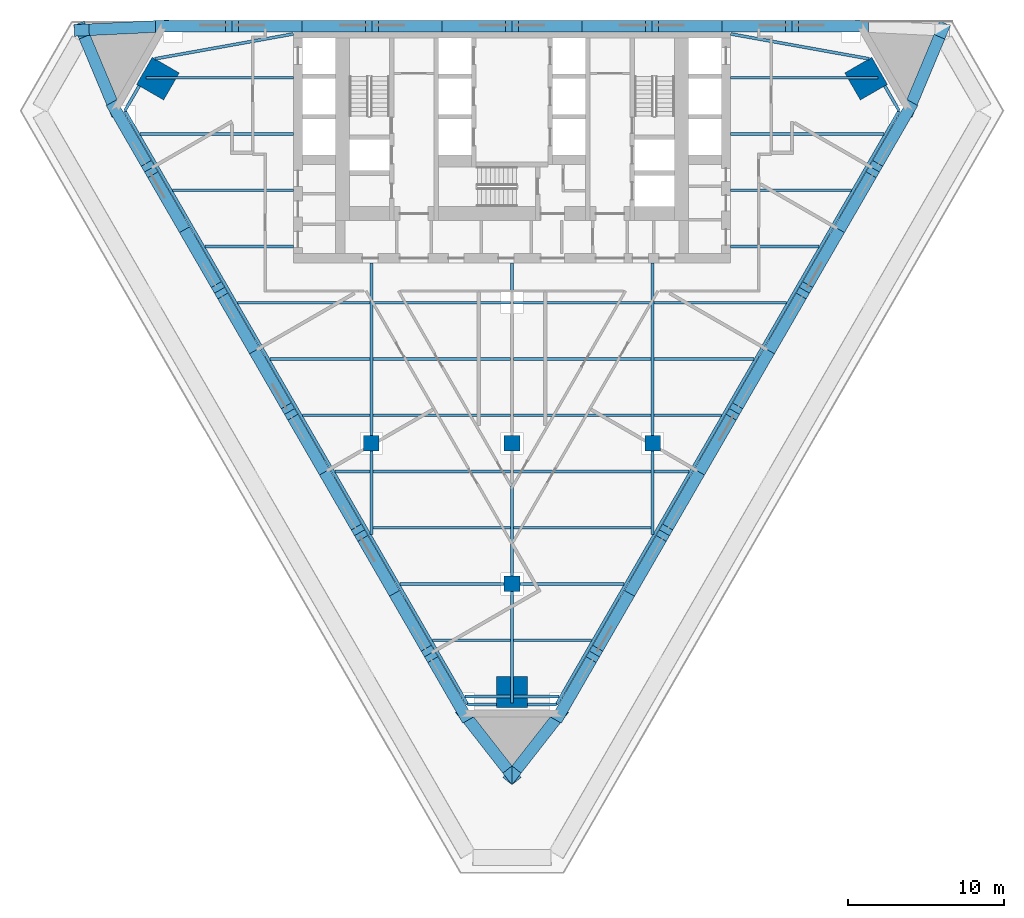
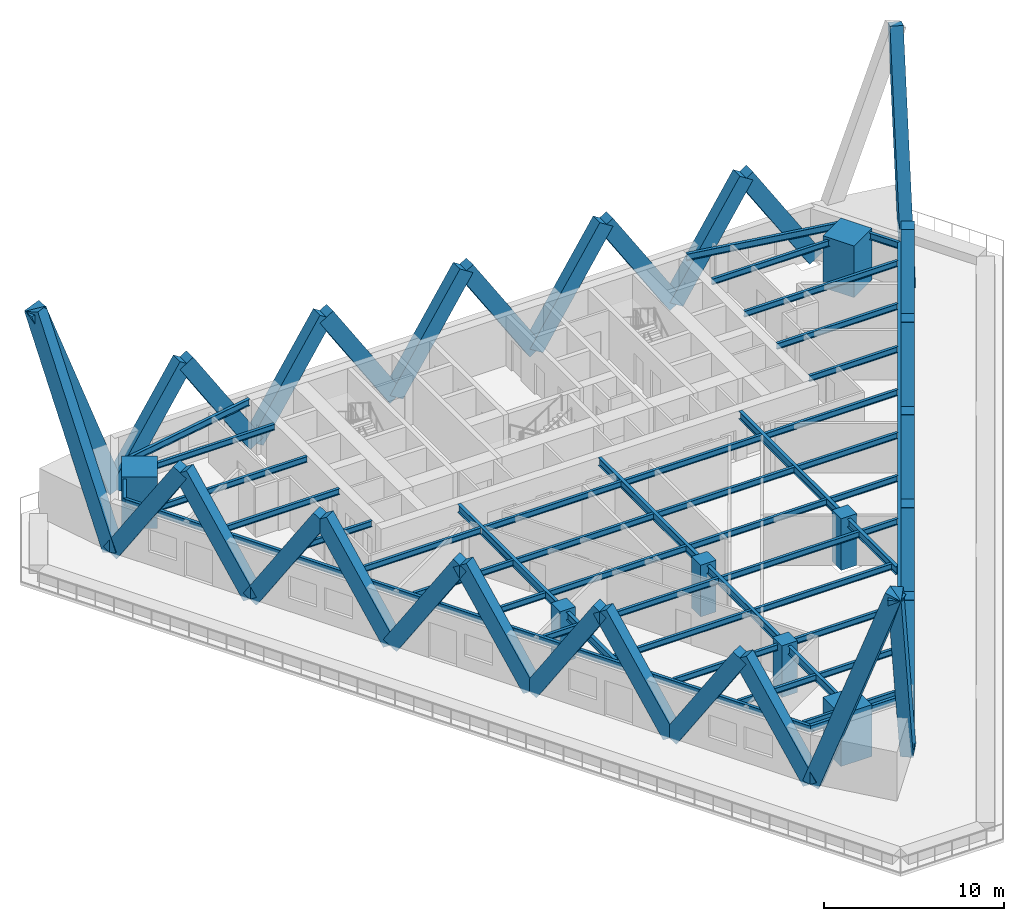
# One storey, part 1 of 11: 47 beams, 35 members, 7 columns.
"""IFC4 building model written with IfcOpenShell, lengths in metres."""

import ifcopenshell
import ifcopenshell.guid

model = None  # the IFC model being written
_history = None  # IfcOwnerHistory: only IFC2X3 demands one
_inside = {}  # id of a spatial element -> (the spatial element, [elements in it])
_under = {}  # id of a project, library or spatial element -> (it, [spatial elements below it])
_declared = {}  # id of a project -> (the project, [libraries it declares])
_typed = {}  # id of a type object -> (the type object, [elements of that type])
_made_of = {}  # id of a material, layer set ... -> (it, [elements and type objects made of it])


def new_model(schema):
    """Start an empty IFC model of exactly this schema.

    Asked for "IFC4X3", IfcOpenShell would pick the latest addendum, in which some entities
    have other attributes; the version numbers below select the first issue.
    IFC2X3 requires an IfcOwnerHistory on every rooted entity: one is made here for all.
    """
    global model, _history
    if schema == "IFC4X3":
        model = ifcopenshell.file(schema_version=(4, 3, 0, 0))
    else:
        model = ifcopenshell.file(schema=schema)
    _inside.clear()
    _under.clear()
    _declared.clear()
    _typed.clear()
    _made_of.clear()
    _history = None
    if model.schema == "IFC2X3":
        org = make("IfcOrganization", Name="unknown")
        user = make(
            "IfcPersonAndOrganization",
            ThePerson=make("IfcPerson", FamilyName="unknown"),
            TheOrganization=org,
        )
        app = make(
            "IfcApplication",
            ApplicationDeveloper=org,
            Version="unknown",
            ApplicationFullName="unknown",
            ApplicationIdentifier="unknown",
        )
        _history = make(
            "IfcOwnerHistory",
            OwningUser=user,
            OwningApplication=app,
            ChangeAction="ADDED",
            CreationDate=0,
        )
    return model


def make(cls, **values):
    """One entity of the class cls with the attributes given. An attribute that is None is left unset."""
    return model.create_entity(
        cls, **{name: value for name, value in values.items() if value is not None}
    )


def rooted(cls, **values):
    """An entity with a GlobalId (a new one), such as an element, a storey or a relation."""
    return make(cls, GlobalId=ifcopenshell.guid.new(), OwnerHistory=_history, **values)


def si_unit(unit_type, name, prefix=None):
    """IfcSIUnit, for example si_unit("LENGTHUNIT", "METRE", prefix="MILLI")."""
    return make("IfcSIUnit", UnitType=unit_type, Prefix=prefix, Name=name)


def assignment(units):
    """IfcUnitAssignment: the units of a project."""
    return None if units is None else make("IfcUnitAssignment", Units=units)


def point(xyz):
    """IfcCartesianPoint."""
    return None if xyz is None else make("IfcCartesianPoint", Coordinates=xyz)


def direction(xyz):
    """IfcDirection."""
    return None if xyz is None else make("IfcDirection", DirectionRatios=xyz)


def frame(location, z_axis=None, x_axis=None):
    """IfcAxis2Placement3D, a coordinate frame: its origin and axes. An axis left out is left unset."""
    return make(
        "IfcAxis2Placement3D",
        Location=point(location),
        Axis=direction(z_axis),
        RefDirection=direction(x_axis),
    )


def frame_2d(location, x_axis=None):
    """IfcAxis2Placement2D, a coordinate frame in the plane: its origin and x axis."""
    return make(
        "IfcAxis2Placement2D", Location=point(location), RefDirection=direction(x_axis)
    )


def origin():
    """The frame at (0, 0, 0) with its axes left unset."""
    return frame((0.0, 0.0, 0.0))


def origin_2d():
    """The frame at (0, 0) in the plane with its x axis left unset."""
    return frame_2d((0.0, 0.0))


def place(relative_to, where):
    """IfcLocalPlacement: puts the frame where relative to a parent placement (None: the world)."""
    return make(
        "IfcLocalPlacement", PlacementRelTo=relative_to, RelativePlacement=where
    )


def context(
    kind, dimensions, precision=None, world=None, true_north=None, identifier=None
):
    """IfcGeometricRepresentationContext, for example the 3D "Model" context."""
    return make(
        "IfcGeometricRepresentationContext",
        ContextIdentifier=identifier,
        ContextType=kind,
        CoordinateSpaceDimension=dimensions,
        Precision=precision,
        WorldCoordinateSystem=world,
        TrueNorth=true_north,
    )


def subcontext(parent, identifier, kind, view, scale=None):
    """IfcGeometricRepresentationSubContext, for example "Body" below "Model"."""
    return make(
        "IfcGeometricRepresentationSubContext",
        ContextIdentifier=identifier,
        ContextType=kind,
        ParentContext=parent,
        TargetScale=scale,
        TargetView=view,
    )


def project(units=None, contexts=None):
    """IfcProject with its units and contexts."""
    return rooted(
        "IfcProject",
        Name="project",
        RepresentationContexts=contexts,
        UnitsInContext=assignment(units),
    )


def spatial(cls, under=None, at=None, **own):
    """A site, building, storey or space (cls), placed at a placement, below another one or the project."""
    s = rooted(cls, ObjectPlacement=at, **own)
    if under is not None:
        _under.setdefault(under.id(), (under, []))[1].append(s)
    return s


def profile(cls, at=None, kind="AREA", **sizes):
    """A parametric profile (cls). Its sizes go by their IFC names, for example OverallWidth=200.0."""
    return make(cls, ProfileType=kind, Position=at, **sizes)


def rectangle(**sizes):
    """IfcRectangleProfileDef."""
    return profile("IfcRectangleProfileDef", **sizes)


def i_section(**sizes):
    """IfcIShapeProfileDef."""
    return profile("IfcIShapeProfileDef", **sizes)


def extrude(swept, where, along, depth):
    """IfcExtrudedAreaSolid: the profile swept, set in the frame where, extruded along a direction by depth."""
    return make(
        "IfcExtrudedAreaSolid",
        SweptArea=swept,
        Position=where,
        ExtrudedDirection=direction(along),
        Depth=depth,
    )


def shape(context_of_items, identifier, shape_type, items):
    """IfcShapeRepresentation: the items that make up one representation, for example the "Body"."""
    return make(
        "IfcShapeRepresentation",
        ContextOfItems=context_of_items,
        RepresentationIdentifier=identifier,
        RepresentationType=shape_type,
        Items=items,
    )


def material(Name=None, Category=None):
    """IfcMaterial."""
    return make("IfcMaterial", Name=Name, Category=Category)


def material_profile(
    of_material, cross_section, Name=None, Category=None, Priority=None
):
    """IfcMaterialProfile: a cross section and its material."""
    return make(
        "IfcMaterialProfile",
        Name=Name,
        Material=of_material,
        Profile=cross_section,
        Priority=Priority,
        Category=Category,
    )


def profile_set(profiles, Name=None, composite=None):
    """IfcMaterialProfileSet."""
    return make(
        "IfcMaterialProfileSet",
        Name=Name,
        MaterialProfiles=profiles,
        CompositeProfile=composite,
    )


def made_of(thing, what):
    """Note that an element or type object is made of a material, layer set ...; save() writes the relation."""
    if what is not None:
        _made_of.setdefault(what.id(), (what, []))[1].append(thing)
    return thing


def type_object(cls, material=None, **own):
    """A type object (cls), such as IfcWallType, which elements share."""
    return made_of(rooted(cls, **own), material)


def element(
    cls,
    number,
    at=None,
    inside=None,
    cuts=None,
    type_object=None,
    material=None,
    context=None,
    identifier="Body",
    shape_type=None,
    held_by="IfcProductDefinitionShape",
    body=None,
    shapes=None,
    **own,
):
    """One element of the class cls, such as IfcWall. Its Tag is "e" and its number.

    at: its placement. inside: the storey or other place that contains it. cuts: it is an
    opening in that element (IfcRelVoidsElement). A single representation is given by context,
    identifier, shape_type and body (its items); several are given by shapes. held_by: the class
    of the entity that holds the representations. save() writes the other relations.
    """
    e = rooted(cls, Tag="e%d" % number, ObjectPlacement=at, **own)
    if body is not None:
        shapes = [shape(context, identifier, shape_type, body)]
    if shapes is not None:
        e.Representation = make(held_by, Representations=shapes)
    if inside is not None:
        _inside.setdefault(inside.id(), (inside, []))[1].append(e)
    if cuts is not None:
        rooted(
            "IfcRelVoidsElement", RelatingBuildingElement=cuts, RelatedOpeningElement=e
        )
    if type_object is not None:
        _typed.setdefault(type_object.id(), (type_object, []))[1].append(e)
    return made_of(e, material)


def aggregate(whole, parts):
    """IfcRelAggregates: a whole, such as a stair, and the parts it consists of."""
    return rooted("IfcRelAggregates", RelatingObject=whole, RelatedObjects=parts)


def save(model, path):
    """Write the relations noted so far, then the file.

    IfcRelAggregates (storeys below a building ...), IfcRelContainedInSpatialStructure (elements
    in a storey), IfcRelDefinesByType, IfcRelAssociatesMaterial and IfcRelDeclares: one each for
    every whole, place, type object, material and project.
    """
    for whole, parts in _under.values():
        aggregate(whole, parts)
    for where, things in _inside.values():
        rooted(
            "IfcRelContainedInSpatialStructure",
            RelatedElements=things,
            RelatingStructure=where,
        )
    for kind, things in _typed.values():
        rooted("IfcRelDefinesByType", RelatedObjects=things, RelatingType=kind)
    for what, things in _made_of.values():
        rooted("IfcRelAssociatesMaterial", RelatedObjects=things, RelatingMaterial=what)
    for by, libraries in _declared.values():
        rooted("IfcRelDeclares", RelatingContext=by, RelatedDefinitions=libraries)
    model.write(path)


model = new_model("IFC4")

# Units and contexts
model_context = context("Model", 3, precision=1e-05, world=origin(), true_north=direction((0.0, 1.0)))
body_context = subcontext(model_context, "Body", "Model", "MODEL_VIEW")
ifc_project = project(units=[si_unit("LENGTHUNIT", "METRE"), si_unit("AREAUNIT", "SQUARE_METRE"), si_unit("VOLUMEUNIT", "CUBIC_METRE"), si_unit("PLANEANGLEUNIT", "RADIAN"), si_unit("MASSUNIT", "GRAM", prefix="KILO")], contexts=[model_context])

# Site, building, storey
site_placement = place(None, origin())
site = spatial("IfcSite", under=ifc_project, at=site_placement, CompositionType="ELEMENT")
building_placement = place(site_placement, origin())
building = spatial("IfcBuilding", under=site, at=building_placement, Name="Aloe Facet Convention Tower", CompositionType="ELEMENT")
storey_placement = place(building_placement, frame((0.0, 0.0, 35.0)))
storey = spatial("IfcBuildingStorey", under=building, at=storey_placement, Name="L06", CompositionType="ELEMENT", Elevation=35.0)

# Columns
ifc_material_1 = material(Name="Concrete C70/85", Category="concrete")
ifc_material_profile_1 = material_profile(ifc_material_1, rectangle(XDim=1.0, YDim=1.0, at=origin_2d()), Name="SF-GC-Z1")
ifc_profile_set_1 = profile_set([ifc_material_profile_1], Name="Concrete C70/85")
column_type_1 = type_object("IfcColumnType", Name="SF-GC-Z1", PredefinedType="COLUMN", material=ifc_profile_set_1)
for number, where, z_axis, x_axis, name in (
    (1, (71.0, 108.0, 0.0), (0.0, 0.0, 1.0), (1.0, 0.0, 0.0), "Gravity column GC-Z1-8D"),
    (2, (80.0, 99.0, 0.0), (0.0, 0.0, 1.0), (1.0, 0.0, 0.0), "Gravity column GC-Z1-9E"),
    (3, (80.0, 108.0, 0.0), (0.0, 0.0, 1.0), (1.0, 0.0, 0.0), "Gravity column GC-Z1-9D"),
    (4, (89.0, 108.0, 0.0), (0.0, 0.0, 1.0), (1.0, 0.0, 0.0), "Gravity column GC-Z1-10D"),
):
    element("IfcColumn", number, at=place(storey_placement, frame(where, z_axis=z_axis, x_axis=x_axis)), inside=storey, type_object=column_type_1, Name=name, PredefinedType="COLUMN", context=body_context, shape_type="SweptSolid", body=[
        extrude(rectangle(XDim=1.0, YDim=1.0, at=origin_2d()), origin(), (0.0, 0.0, 1.0), 3.5),
    ])
ifc_material_2 = material(Name="Concrete C80/95", Category="concrete")
ifc_material_profile_2 = material_profile(ifc_material_2, rectangle(XDim=2.0, YDim=2.0, at=origin_2d()), Name="STW-MC-Z1")
ifc_profile_set_2 = profile_set([ifc_material_profile_2], Name="Concrete C80/95")
column_type_2 = type_object("IfcColumnType", Name="STW-MC-Z1", PredefinedType="COLUMN", material=ifc_profile_set_2)
for number, where, z_axis, x_axis, name in (
    (5, (102.664306640625, 131.342041015625, 0.0), (0.0, 0.0, 1.0), (-0.5, 0.866025403784, 0.0), "Mega-column MC-NE-L06"),
    (6, (57.335693359375, 131.342041015625, 0.0), (0.0, 0.0, 1.0), (-0.5, -0.866025403784, 0.0), "Mega-column MC-NW-L06"),
    (7, (80.0, 92.086181640625, 0.0), (0.0, 0.0, 1.0), (1.0, 0.0, 0.0), "Mega-column MC-S-L06"),
):
    element("IfcColumn", number, at=place(storey_placement, frame(where, z_axis=z_axis, x_axis=x_axis)), inside=storey, type_object=column_type_2, Name=name, PredefinedType="COLUMN", context=body_context, shape_type="SweptSolid", body=[
        extrude(rectangle(XDim=2.0, YDim=2.0, at=origin_2d()), origin(), (0.0, 0.0, 1.0), 3.5),
    ])

# Beams
ifc_material_3 = material(Name="Steel S355", Category="steel")
ifc_material_profile_3 = material_profile(ifc_material_3, i_section(OverallWidth=0.177734375, OverallDepth=0.402587890625, WebThickness=0.0078125, FlangeThickness=0.010986328125, FilletRadius=0.01025390625, at=origin_2d()), Name="UB 406x178x54")
ifc_profile_set_3 = profile_set([ifc_material_profile_3], Name="Steel S355")
beam_type_1 = type_object("IfcBeamType", Name="SF-B-UB406x178x54", PredefinedType="BEAM", material=ifc_profile_set_3)
beam_1_placement = place(storey_placement, frame((56.194580078125, 127.800048828125, 3.148681640625), z_axis=(1.0, 0.0, 0.0), x_axis=(0.0, 1.0, 0.0)))
element("IfcBeam", 8, at=beam_1_placement, inside=storey, type_object=beam_type_1, Name="Floor beam FB-Z1B-016", PredefinedType="BEAM", context=body_context, shape_type="SweptSolid", body=[
    extrude(i_section(OverallWidth=0.177734375, OverallDepth=0.402587890625, WebThickness=0.0078125, FlangeThickness=0.010986328125, FilletRadius=0.01025390625, at=origin_2d()), origin(), (0.0, 0.0, 1.0), 9.805419921875),
])
beam_2_placement = place(storey_placement, frame((56.55908203125, 131.39990234375, 3.148681640625), z_axis=(1.0, 0.0, 0.0), x_axis=(0.0, 1.0, 0.0)))
element("IfcBeam", 9, at=beam_2_placement, inside=storey, type_object=beam_type_1, Name="Floor beam FB-Z1B-017", PredefinedType="BEAM", context=body_context, shape_type="SweptSolid", body=[
    extrude(i_section(OverallWidth=0.177734375, OverallDepth=0.402587890625, WebThickness=0.0078125, FlangeThickness=0.010986328125, FilletRadius=0.01025390625, at=origin_2d()), origin(), (0.0, 0.0, 1.0), 9.44091796875),
])
beam_3_placement = place(storey_placement, frame((58.27294921875, 124.199951171875, 3.148681640625), z_axis=(1.0, 0.0, 0.0), x_axis=(0.0, 1.0, 0.0)))
element("IfcBeam", 10, at=beam_3_placement, inside=storey, type_object=beam_type_1, Name="Floor beam FB-Z1B-018", PredefinedType="BEAM", context=body_context, shape_type="SweptSolid", body=[
    extrude(i_section(OverallWidth=0.177734375, OverallDepth=0.402587890625, WebThickness=0.0078125, FlangeThickness=0.010986328125, FilletRadius=0.01025390625, at=origin_2d()), origin(), (0.0, 0.0, 1.0), 7.72705078125),
])
beam_4_placement = place(storey_placement, frame((60.351318359375, 120.60009765625, 3.148681640625), z_axis=(1.0, 0.0, 0.0), x_axis=(0.0, 1.0, 0.0)))
element("IfcBeam", 11, at=beam_4_placement, inside=storey, type_object=beam_type_1, Name="Floor beam FB-Z1B-019", PredefinedType="BEAM", context=body_context, shape_type="SweptSolid", body=[
    extrude(i_section(OverallWidth=0.177734375, OverallDepth=0.402587890625, WebThickness=0.0078125, FlangeThickness=0.010986328125, FilletRadius=0.01025390625, at=origin_2d()), origin(), (0.0, 0.0, 1.0), 5.648681640625),
])
beam_5_placement = place(storey_placement, frame((62.429931640625, 117.0, 3.148681640625), z_axis=(1.0, 0.0, 0.0), x_axis=(0.0, 1.0, 0.0)))
element("IfcBeam", 12, at=beam_5_placement, inside=storey, type_object=beam_type_1, Name="Floor beam FB-Z1B-020", PredefinedType="BEAM", context=body_context, shape_type="SweptSolid", body=[
    extrude(i_section(OverallWidth=0.177734375, OverallDepth=0.402587890625, WebThickness=0.0078125, FlangeThickness=0.010986328125, FilletRadius=0.01025390625, at=origin_2d()), origin(), (0.0, 0.0, 1.0), 8.464599609375),
])
beam_6_placement = place(storey_placement, frame((64.50830078125, 113.39990234375, 3.148681640625), z_axis=(1.0, 0.0, 0.0), x_axis=(0.0, 1.0, 0.0)))
element("IfcBeam", 13, at=beam_6_placement, inside=storey, type_object=beam_type_1, Name="Floor beam FB-Z1B-021", PredefinedType="BEAM", context=body_context, shape_type="SweptSolid", body=[
    extrude(i_section(OverallWidth=0.177734375, OverallDepth=0.402587890625, WebThickness=0.0078125, FlangeThickness=0.010986328125, FilletRadius=0.01025390625, at=origin_2d()), origin(), (0.0, 0.0, 1.0), 6.38623046875),
])
beam_7_placement = place(storey_placement, frame((66.5869140625, 109.800048828125, 3.148681640625), z_axis=(1.0, 0.0, 0.0), x_axis=(0.0, 1.0, 0.0)))
element("IfcBeam", 14, at=beam_7_placement, inside=storey, type_object=beam_type_1, Name="Floor beam FB-Z1B-022", PredefinedType="BEAM", context=body_context, shape_type="SweptSolid", body=[
    extrude(i_section(OverallWidth=0.177734375, OverallDepth=0.402587890625, WebThickness=0.0078125, FlangeThickness=0.010986328125, FilletRadius=0.01025390625, at=origin_2d()), origin(), (0.0, 0.0, 1.0), 4.3076171875),
])
beam_8_placement = place(storey_placement, frame((68.665283203125, 106.199951171875, 3.148681640625), z_axis=(1.0, 0.0, 0.0), x_axis=(0.0, 1.0, 0.0)))
element("IfcBeam", 15, at=beam_8_placement, inside=storey, type_object=beam_type_1, Name="Floor beam FB-Z1B-023", PredefinedType="BEAM", context=body_context, shape_type="SweptSolid", body=[
    extrude(i_section(OverallWidth=0.177734375, OverallDepth=0.402587890625, WebThickness=0.0078125, FlangeThickness=0.010986328125, FilletRadius=0.01025390625, at=origin_2d()), origin(), (0.0, 0.0, 1.0), 2.229248046875),
])
for number, where, z_axis, x_axis, name in (
    (16, (71.10546875, 102.60009765625, 3.148681640625), (1.0, 0.0, 0.0), (0.0, 1.0, 0.0), "Floor beam FB-Z1B-024"),
    (17, (71.10546875, 106.199951171875, 3.148681640625), (1.0, 0.0, 0.0), (0.0, 1.0, 0.0), "Floor beam FB-Z1B-025"),
    (18, (71.10546875, 109.800048828125, 3.148681640625), (1.0, 0.0, 0.0), (0.0, 1.0, 0.0), "Floor beam FB-Z1B-026"),
    (19, (71.10546875, 113.39990234375, 3.148681640625), (1.0, 0.0, 0.0), (0.0, 1.0, 0.0), "Floor beam FB-Z1B-027"),
    (20, (71.10546875, 117.0, 3.148681640625), (1.0, 0.0, 0.0), (0.0, 1.0, 0.0), "Floor beam FB-Z1B-028"),
):
    element("IfcBeam", number, at=place(storey_placement, frame(where, z_axis=z_axis, x_axis=x_axis)), inside=storey, type_object=beam_type_1, Name=name, PredefinedType="BEAM", context=body_context, shape_type="SweptSolid", body=[
        extrude(i_section(OverallWidth=0.177734375, OverallDepth=0.402587890625, WebThickness=0.0078125, FlangeThickness=0.010986328125, FilletRadius=0.01025390625, at=origin_2d()), origin(), (0.0, 0.0, 1.0), 8.7890625),
    ])
beam_9_placement = place(storey_placement, frame((72.822265625, 99.0, 3.148681640625), z_axis=(1.0, 0.0, 0.0), x_axis=(0.0, 1.0, 0.0)))
element("IfcBeam", 21, at=beam_9_placement, inside=storey, type_object=beam_type_1, Name="Floor beam FB-Z1B-029", PredefinedType="BEAM", context=body_context, shape_type="SweptSolid", body=[
    extrude(i_section(OverallWidth=0.177734375, OverallDepth=0.402587890625, WebThickness=0.0078125, FlangeThickness=0.010986328125, FilletRadius=0.01025390625, at=origin_2d()), origin(), (0.0, 0.0, 1.0), 6.677734375),
])
beam_10_placement = place(storey_placement, frame((74.900634765625, 95.39990234375, 3.148681640625), z_axis=(1.0, 0.0, 0.0), x_axis=(0.0, 1.0, 0.0)))
element("IfcBeam", 22, at=beam_10_placement, inside=storey, type_object=beam_type_1, Name="Floor beam FB-Z1B-030", PredefinedType="BEAM", context=body_context, shape_type="SweptSolid", body=[
    extrude(i_section(OverallWidth=0.177734375, OverallDepth=0.402587890625, WebThickness=0.0078125, FlangeThickness=0.010986328125, FilletRadius=0.01025390625, at=origin_2d()), origin(), (0.0, 0.0, 1.0), 4.993896484375),
])
for number, where, z_axis, x_axis, name in (
    (23, (76.97900390625, 91.800048828125, 3.148681640625), (1.0, 0.0, 0.0), (0.0, 1.0, 0.0), "Floor beam FB-Z1B-031"),
    (24, (80.10546875, 91.800048828125, 3.148681640625), (1.0, 0.0, 0.0), (0.0, 1.0, 0.0), "Floor beam FB-Z1B-032"),
):
    element("IfcBeam", number, at=place(storey_placement, frame(where, z_axis=z_axis, x_axis=x_axis)), inside=storey, type_object=beam_type_1, Name=name, PredefinedType="BEAM", context=body_context, shape_type="SweptSolid", body=[
        extrude(i_section(OverallWidth=0.177734375, OverallDepth=0.402587890625, WebThickness=0.0078125, FlangeThickness=0.010986328125, FilletRadius=0.01025390625, at=origin_2d()), origin(), (0.0, 0.0, 1.0), 2.91552734375),
    ])
beam_11_placement = place(storey_placement, frame((80.10546875, 95.39990234375, 3.148681640625), z_axis=(1.0, 0.0, 0.0), x_axis=(0.0, 1.0, 0.0)))
element("IfcBeam", 25, at=beam_11_placement, inside=storey, type_object=beam_type_1, Name="Floor beam FB-Z1B-033", PredefinedType="BEAM", context=body_context, shape_type="SweptSolid", body=[
    extrude(i_section(OverallWidth=0.177734375, OverallDepth=0.402587890625, WebThickness=0.0078125, FlangeThickness=0.010986328125, FilletRadius=0.01025390625, at=origin_2d()), origin(), (0.0, 0.0, 1.0), 4.993896484375),
])
for number, where, z_axis, x_axis, name in (
    (26, (80.10546875, 102.60009765625, 3.148681640625), (1.0, 0.0, 0.0), (0.0, 1.0, 0.0), "Floor beam FB-Z1B-034"),
    (27, (80.10546875, 106.199951171875, 3.148681640625), (1.0, 0.0, 0.0), (0.0, 1.0, 0.0), "Floor beam FB-Z1B-035"),
    (28, (80.10546875, 109.800048828125, 3.148681640625), (1.0, 0.0, 0.0), (0.0, 1.0, 0.0), "Floor beam FB-Z1B-036"),
    (29, (80.10546875, 113.39990234375, 3.148681640625), (1.0, 0.0, 0.0), (0.0, 1.0, 0.0), "Floor beam FB-Z1B-037"),
    (30, (80.10546875, 117.0, 3.148681640625), (1.0, 0.0, 0.0), (0.0, 1.0, 0.0), "Floor beam FB-Z1B-038"),
):
    element("IfcBeam", number, at=place(storey_placement, frame(where, z_axis=z_axis, x_axis=x_axis)), inside=storey, type_object=beam_type_1, Name=name, PredefinedType="BEAM", context=body_context, shape_type="SweptSolid", body=[
        extrude(i_section(OverallWidth=0.177734375, OverallDepth=0.402587890625, WebThickness=0.0078125, FlangeThickness=0.010986328125, FilletRadius=0.01025390625, at=origin_2d()), origin(), (0.0, 0.0, 1.0), 8.7890625),
    ])
beam_12_placement = place(storey_placement, frame((80.5, 99.0, 3.148681640625), z_axis=(1.0, 0.0, 0.0), x_axis=(0.0, 1.0, 0.0)))
element("IfcBeam", 31, at=beam_12_placement, inside=storey, type_object=beam_type_1, Name="Floor beam FB-Z1B-039", PredefinedType="BEAM", context=body_context, shape_type="SweptSolid", body=[
    extrude(i_section(OverallWidth=0.177734375, OverallDepth=0.402587890625, WebThickness=0.0078125, FlangeThickness=0.010986328125, FilletRadius=0.01025390625, at=origin_2d()), origin(), (0.0, 0.0, 1.0), 6.677734375),
])
beam_13_placement = place(storey_placement, frame((89.10546875, 106.199951171875, 3.148681640625), z_axis=(1.0, 0.0, 0.0), x_axis=(0.0, 1.0, 0.0)))
element("IfcBeam", 32, at=beam_13_placement, inside=storey, type_object=beam_type_1, Name="Floor beam FB-Z1B-040", PredefinedType="BEAM", context=body_context, shape_type="SweptSolid", body=[
    extrude(i_section(OverallWidth=0.177734375, OverallDepth=0.402587890625, WebThickness=0.0078125, FlangeThickness=0.010986328125, FilletRadius=0.01025390625, at=origin_2d()), origin(), (0.0, 0.0, 1.0), 2.229248046875),
])
beam_14_placement = place(storey_placement, frame((89.10546875, 109.800048828125, 3.148681640625), z_axis=(1.0, 0.0, 0.0), x_axis=(0.0, 1.0, 0.0)))
element("IfcBeam", 33, at=beam_14_placement, inside=storey, type_object=beam_type_1, Name="Floor beam FB-Z1B-041", PredefinedType="BEAM", context=body_context, shape_type="SweptSolid", body=[
    extrude(i_section(OverallWidth=0.177734375, OverallDepth=0.402587890625, WebThickness=0.0078125, FlangeThickness=0.010986328125, FilletRadius=0.01025390625, at=origin_2d()), origin(), (0.0, 0.0, 1.0), 4.3076171875),
])
beam_15_placement = place(storey_placement, frame((89.10546875, 113.39990234375, 3.148681640625), z_axis=(1.0, 0.0, 0.0), x_axis=(0.0, 1.0, 0.0)))
element("IfcBeam", 34, at=beam_15_placement, inside=storey, type_object=beam_type_1, Name="Floor beam FB-Z1B-042", PredefinedType="BEAM", context=body_context, shape_type="SweptSolid", body=[
    extrude(i_section(OverallWidth=0.177734375, OverallDepth=0.402587890625, WebThickness=0.0078125, FlangeThickness=0.010986328125, FilletRadius=0.01025390625, at=origin_2d()), origin(), (0.0, 0.0, 1.0), 6.38623046875),
])
beam_16_placement = place(storey_placement, frame((89.10546875, 117.0, 3.148681640625), z_axis=(1.0, 0.0, 0.0), x_axis=(0.0, 1.0, 0.0)))
element("IfcBeam", 35, at=beam_16_placement, inside=storey, type_object=beam_type_1, Name="Floor beam FB-Z1B-043", PredefinedType="BEAM", context=body_context, shape_type="SweptSolid", body=[
    extrude(i_section(OverallWidth=0.177734375, OverallDepth=0.402587890625, WebThickness=0.0078125, FlangeThickness=0.010986328125, FilletRadius=0.01025390625, at=origin_2d()), origin(), (0.0, 0.0, 1.0), 8.464599609375),
])
beam_17_placement = place(storey_placement, frame((94.0, 120.60009765625, 3.148681640625), z_axis=(1.0, 0.0, 0.0), x_axis=(0.0, 1.0, 0.0)))
element("IfcBeam", 36, at=beam_17_placement, inside=storey, type_object=beam_type_1, Name="Floor beam FB-Z1B-044", PredefinedType="BEAM", context=body_context, shape_type="SweptSolid", body=[
    extrude(i_section(OverallWidth=0.177734375, OverallDepth=0.402587890625, WebThickness=0.0078125, FlangeThickness=0.010986328125, FilletRadius=0.01025390625, at=origin_2d()), origin(), (0.0, 0.0, 1.0), 5.648681640625),
])
beam_18_placement = place(storey_placement, frame((94.0, 124.199951171875, 3.148681640625), z_axis=(1.0, 0.0, 0.0), x_axis=(0.0, 1.0, 0.0)))
element("IfcBeam", 37, at=beam_18_placement, inside=storey, type_object=beam_type_1, Name="Floor beam FB-Z1B-045", PredefinedType="BEAM", context=body_context, shape_type="SweptSolid", body=[
    extrude(i_section(OverallWidth=0.177734375, OverallDepth=0.402587890625, WebThickness=0.0078125, FlangeThickness=0.010986328125, FilletRadius=0.01025390625, at=origin_2d()), origin(), (0.0, 0.0, 1.0), 7.72705078125),
])
beam_19_placement = place(storey_placement, frame((94.0, 127.800048828125, 3.148681640625), z_axis=(1.0, 0.0, 0.0), x_axis=(0.0, 1.0, 0.0)))
element("IfcBeam", 38, at=beam_19_placement, inside=storey, type_object=beam_type_1, Name="Floor beam FB-Z1B-046", PredefinedType="BEAM", context=body_context, shape_type="SweptSolid", body=[
    extrude(i_section(OverallWidth=0.177734375, OverallDepth=0.402587890625, WebThickness=0.0078125, FlangeThickness=0.010986328125, FilletRadius=0.01025390625, at=origin_2d()), origin(), (0.0, 0.0, 1.0), 9.805419921875),
])
beam_20_placement = place(storey_placement, frame((94.0, 131.39990234375, 3.148681640625), z_axis=(1.0, 0.0, 0.0), x_axis=(0.0, 1.0, 0.0)))
element("IfcBeam", 39, at=beam_20_placement, inside=storey, type_object=beam_type_1, Name="Floor beam FB-Z1B-047", PredefinedType="BEAM", context=body_context, shape_type="SweptSolid", body=[
    extrude(i_section(OverallWidth=0.177734375, OverallDepth=0.402587890625, WebThickness=0.0078125, FlangeThickness=0.010986328125, FilletRadius=0.01025390625, at=origin_2d()), origin(), (0.0, 0.0, 1.0), 9.44091796875),
])
ifc_material_4 = material(Name="Steel S355", Category="steel")
ifc_material_profile_4 = material_profile(ifc_material_4, i_section(OverallWidth=0.18994140625, OverallDepth=0.453369140625, WebThickness=0.008544921875, FlangeThickness=0.0126953125, FilletRadius=0.01025390625, at=origin_2d()), Name="UB 457x191x67")
ifc_profile_set_4 = profile_set([ifc_material_profile_4], Name="Steel S355")
beam_type_2 = type_object("IfcBeamType", Name="SF-B-UB457x191x67", PredefinedType="BEAM", material=ifc_profile_set_4)
beam_21_placement = place(storey_placement, frame((55.218017578125, 129.2841796875, 3.123291015625), z_axis=(0.499932904579, 0.866064137879, 0.0), x_axis=(-0.866064137879, 0.499932904579, 0.0)))
element("IfcBeam", 40, at=beam_21_placement, inside=storey, type_object=beam_type_2, Name="Floor beam FB-Z1B-001", PredefinedType="BEAM", context=body_context, shape_type="SweptSolid", body=[
    extrude(i_section(OverallWidth=0.18994140625, OverallDepth=0.453369140625, WebThickness=0.008544921875, FlangeThickness=0.0126953125, FilletRadius=0.01025390625, at=origin_2d()), origin(), (0.0, 0.0, 1.0), 1.841064453125),
])
beam_22_placement = place(storey_placement, frame((57.138427734375, 132.610595703125, 3.123291015625), z_axis=(0.984194951593, 0.177088388265, 0.0), x_axis=(-0.177088388265, 0.984194951593, 0.0)))
element("IfcBeam", 41, at=beam_22_placement, inside=storey, type_object=beam_type_2, Name="Floor beam FB-Z1B-002", PredefinedType="BEAM", context=body_context, shape_type="SweptSolid", body=[
    extrude(i_section(OverallWidth=0.18994140625, OverallDepth=0.453369140625, WebThickness=0.008544921875, FlangeThickness=0.0126953125, FilletRadius=0.01025390625, at=origin_2d()), origin(), (0.0, 0.0, 1.0), 9.00390625),
])
beam_23_placement = place(storey_placement, frame((77.158935546875, 91.28125, 3.123291015625), z_axis=(-0.499998569178, 0.866026229868, 0.0), x_axis=(-0.866026229868, -0.499998569178, 0.0)))
element("IfcBeam", 42, at=beam_23_placement, inside=storey, type_object=beam_type_2, Name="Floor beam FB-Z1B-003", PredefinedType="BEAM", context=body_context, shape_type="SweptSolid", body=[
    extrude(i_section(OverallWidth=0.18994140625, OverallDepth=0.453369140625, WebThickness=0.008544921875, FlangeThickness=0.0126953125, FilletRadius=0.01025390625, at=origin_2d()), origin(), (0.0, 0.0, 1.0), 43.882080078125),
])
for number, where, z_axis, x_axis, name in (
    (43, (79.0, 91.28125, 3.123291015625), (-1.0, 0.0, 0.0), (0.0, -1.0, 0.0), "Floor beam FB-Z1B-004"),
    (44, (82.841064453125, 91.28125, 3.123291015625), (-1.0, 0.0, 0.0), (0.0, -1.0, 0.0), "Floor beam FB-Z1B-005"),
):
    element("IfcBeam", number, at=place(storey_placement, frame(where, z_axis=z_axis, x_axis=x_axis)), inside=storey, type_object=beam_type_2, Name=name, PredefinedType="BEAM", context=body_context, shape_type="SweptSolid", body=[
        extrude(i_section(OverallWidth=0.18994140625, OverallDepth=0.453369140625, WebThickness=0.008544921875, FlangeThickness=0.0126953125, FilletRadius=0.01025390625, at=origin_2d()), origin(), (0.0, 0.0, 1.0), 1.841064453125),
    ])
beam_24_placement = place(storey_placement, frame((102.861572265625, 132.610595703125, 3.123291015625), z_axis=(-0.984194951593, 0.177088388265, 0.0), x_axis=(-0.177088388265, -0.984194951593, 0.0)))
element("IfcBeam", 45, at=beam_24_placement, inside=storey, type_object=beam_type_2, Name="Floor beam FB-Z1B-006", PredefinedType="BEAM", context=body_context, shape_type="SweptSolid", body=[
    extrude(i_section(OverallWidth=0.18994140625, OverallDepth=0.453369140625, WebThickness=0.008544921875, FlangeThickness=0.0126953125, FilletRadius=0.01025390625, at=origin_2d()), origin(), (0.0, 0.0, 1.0), 9.00390625),
])
beam_25_placement = place(storey_placement, frame((103.861572265625, 130.878662109375, 3.123291015625), z_axis=(0.499932904579, -0.866064137879, 0.0), x_axis=(0.866064137879, 0.499932904579, 0.0)))
element("IfcBeam", 46, at=beam_25_placement, inside=storey, type_object=beam_type_2, Name="Floor beam FB-Z1B-007", PredefinedType="BEAM", context=body_context, shape_type="SweptSolid", body=[
    extrude(i_section(OverallWidth=0.18994140625, OverallDepth=0.453369140625, WebThickness=0.008544921875, FlangeThickness=0.0126953125, FilletRadius=0.01025390625, at=origin_2d()), origin(), (0.0, 0.0, 1.0), 1.841064453125),
])
beam_26_placement = place(storey_placement, frame((104.781982421875, 129.2841796875, 3.123291015625), z_axis=(-0.499998569178, -0.866026229868, 0.0), x_axis=(0.866026229868, -0.499998569178, 0.0)))
element("IfcBeam", 47, at=beam_26_placement, inside=storey, type_object=beam_type_2, Name="Floor beam FB-Z1B-008", PredefinedType="BEAM", context=body_context, shape_type="SweptSolid", body=[
    extrude(i_section(OverallWidth=0.18994140625, OverallDepth=0.453369140625, WebThickness=0.008544921875, FlangeThickness=0.0126953125, FilletRadius=0.01025390625, at=origin_2d()), origin(), (0.0, 0.0, 1.0), 43.882080078125),
])
ifc_material_5 = material(Name="Steel S355", Category="steel")
ifc_material_profile_5 = material_profile(ifc_material_5, i_section(OverallWidth=0.210693359375, OverallDepth=0.53955078125, WebThickness=0.01171875, FlangeThickness=0.018798828125, FilletRadius=0.0126953125, at=origin_2d()), Name="UB 533x210x109")
ifc_profile_set_5 = profile_set([ifc_material_profile_5], Name="Steel S355")
beam_type_3 = type_object("IfcBeamType", Name="SF-B-UB533x210x109", PredefinedType="BEAM", material=ifc_profile_set_5)
beam_27_placement = place(storey_placement, frame((71.0, 107.5, 3.080078125), z_axis=(0.0, -1.0, 0.0), x_axis=(1.0, 0.0, 0.0)))
element("IfcBeam", 48, at=beam_27_placement, inside=storey, type_object=beam_type_3, Name="Floor beam FB-Z1B-009", PredefinedType="BEAM", context=body_context, shape_type="SweptSolid", body=[
    extrude(i_section(OverallWidth=0.210693359375, OverallDepth=0.53955078125, WebThickness=0.01171875, FlangeThickness=0.018798828125, FilletRadius=0.0126953125, at=origin_2d()), origin(), (0.0, 0.0, 1.0), 5.351318359375),
])
beam_28_placement = place(storey_placement, frame((71.0, 119.550048828125, 3.080078125), z_axis=(0.0, -1.0, 0.0), x_axis=(1.0, 0.0, 0.0)))
element("IfcBeam", 49, at=beam_28_placement, inside=storey, type_object=beam_type_3, Name="Floor beam FB-Z1B-010", PredefinedType="BEAM", context=body_context, shape_type="SweptSolid", body=[
    extrude(i_section(OverallWidth=0.210693359375, OverallDepth=0.53955078125, WebThickness=0.01171875, FlangeThickness=0.018798828125, FilletRadius=0.0126953125, at=origin_2d()), origin(), (0.0, 0.0, 1.0), 11.050048828125),
])
beam_29_placement = place(storey_placement, frame((80.0, 98.5, 3.080078125), z_axis=(0.0, -1.0, 0.0), x_axis=(1.0, 0.0, 0.0)))
element("IfcBeam", 50, at=beam_29_placement, inside=storey, type_object=beam_type_3, Name="Floor beam FB-Z1B-011", PredefinedType="BEAM", context=body_context, shape_type="SweptSolid", body=[
    extrude(i_section(OverallWidth=0.210693359375, OverallDepth=0.53955078125, WebThickness=0.01171875, FlangeThickness=0.018798828125, FilletRadius=0.0126953125, at=origin_2d()), origin(), (0.0, 0.0, 1.0), 7.11376953125),
])
beam_30_placement = place(storey_placement, frame((80.0, 107.5, 3.080078125), z_axis=(0.0, -1.0, 0.0), x_axis=(1.0, 0.0, 0.0)))
element("IfcBeam", 51, at=beam_30_placement, inside=storey, type_object=beam_type_3, Name="Floor beam FB-Z1B-012", PredefinedType="BEAM", context=body_context, shape_type="SweptSolid", body=[
    extrude(i_section(OverallWidth=0.210693359375, OverallDepth=0.53955078125, WebThickness=0.01171875, FlangeThickness=0.018798828125, FilletRadius=0.0126953125, at=origin_2d()), origin(), (0.0, 0.0, 1.0), 8.0),
])
beam_31_placement = place(storey_placement, frame((80.0, 119.550048828125, 3.080078125), z_axis=(0.0, -1.0, 0.0), x_axis=(1.0, 0.0, 0.0)))
element("IfcBeam", 52, at=beam_31_placement, inside=storey, type_object=beam_type_3, Name="Floor beam FB-Z1B-013", PredefinedType="BEAM", context=body_context, shape_type="SweptSolid", body=[
    extrude(i_section(OverallWidth=0.210693359375, OverallDepth=0.53955078125, WebThickness=0.01171875, FlangeThickness=0.018798828125, FilletRadius=0.0126953125, at=origin_2d()), origin(), (0.0, 0.0, 1.0), 11.050048828125),
])
beam_32_placement = place(storey_placement, frame((89.0, 107.5, 3.080078125), z_axis=(0.0, -1.0, 0.0), x_axis=(1.0, 0.0, 0.0)))
element("IfcBeam", 53, at=beam_32_placement, inside=storey, type_object=beam_type_3, Name="Floor beam FB-Z1B-014", PredefinedType="BEAM", context=body_context, shape_type="SweptSolid", body=[
    extrude(i_section(OverallWidth=0.210693359375, OverallDepth=0.53955078125, WebThickness=0.01171875, FlangeThickness=0.018798828125, FilletRadius=0.0126953125, at=origin_2d()), origin(), (0.0, 0.0, 1.0), 5.351318359375),
])
beam_33_placement = place(storey_placement, frame((89.0, 119.550048828125, 3.080078125), z_axis=(0.0, -1.0, 0.0), x_axis=(1.0, 0.0, 0.0)))
element("IfcBeam", 54, at=beam_33_placement, inside=storey, type_object=beam_type_3, Name="Floor beam FB-Z1B-015", PredefinedType="BEAM", context=body_context, shape_type="SweptSolid", body=[
    extrude(i_section(OverallWidth=0.210693359375, OverallDepth=0.53955078125, WebThickness=0.01171875, FlangeThickness=0.018798828125, FilletRadius=0.0126953125, at=origin_2d()), origin(), (0.0, 0.0, 1.0), 11.050048828125),
])

# Members
ifc_material_6 = material(Name="Concrete C60/75, bronze oxide finish", Category="concrete")
ifc_material_profile_6 = material_profile(ifc_material_6, rectangle(XDim=0.75, YDim=1.0, at=origin_2d()), Name="STW-LM")
ifc_profile_set_6 = profile_set([ifc_material_profile_6], Name="Concrete C60/75, bronze oxide finish")
member_type = type_object("IfcMemberType", Name="STW-LM", PredefinedType="BRACE", material=ifc_profile_set_6)
for number, where, z_axis, x_axis, name in (
    (55, (102.39990234375, 134.699951171875, 0.0), (-0.539052029218, 0.0, 0.84227246767), (0.0, -1.0, 0.0), "Lattice member LM-Z1-F1-R0-01"),
    (56, (93.43994140625, 134.699951171875, 0.0), (0.539052029218, 0.0, 0.84227246767), (0.0, 1.0, 0.0), "Lattice member LM-Z1-F1-R0-02"),
    (57, (93.43994140625, 134.699951171875, 0.0), (-0.539052029218, 0.0, 0.84227246767), (0.0, -1.0, 0.0), "Lattice member LM-Z1-F1-R0-03"),
    (58, (84.47998046875, 134.699951171875, 0.0), (0.539052029218, 0.0, 0.84227246767), (0.0, 1.0, 0.0), "Lattice member LM-Z1-F1-R0-04"),
    (59, (84.47998046875, 134.699951171875, 0.0), (-0.539052029218, 0.0, 0.84227246767), (0.0, -1.0, 0.0), "Lattice member LM-Z1-F1-R0-05"),
    (60, (75.52001953125, 134.699951171875, 0.0), (0.539052029218, 0.0, 0.84227246767), (0.0, 1.0, 0.0), "Lattice member LM-Z1-F1-R0-06"),
    (61, (75.52001953125, 134.699951171875, 0.0), (-0.539052029218, 0.0, 0.84227246767), (0.0, -1.0, 0.0), "Lattice member LM-Z1-F1-R0-07"),
    (62, (66.56005859375, 134.699951171875, 0.0), (0.539052029218, 0.0, 0.84227246767), (0.0, 1.0, 0.0), "Lattice member LM-Z1-F1-R0-08"),
    (63, (66.56005859375, 134.699951171875, 0.0), (-0.539052029218, 0.0, 0.84227246767), (0.0, -1.0, 0.0), "Lattice member LM-Z1-F1-R0-09"),
    (64, (57.60009765625, 134.699951171875, 0.0), (0.539052029218, 0.0, 0.84227246767), (0.0, 1.0, 0.0), "Lattice member LM-Z1-F1-R0-10"),
    (65, (54.559814453125, 129.434326171875, 0.0), (0.269524411036, -0.466842718276, 0.842267456482), (0.866031314237, 0.499989762656, 0.0), "Lattice member LM-Z1-F2-R0-01"),
    (66, (59.039794921875, 121.674560546875, 0.0), (-0.269524411036, 0.466842718276, 0.842267456482), (-0.866031314237, -0.499989762656, 0.0), "Lattice member LM-Z1-F2-R0-02"),
    (67, (59.039794921875, 121.674560546875, 0.0), (0.26952810724, -0.466819744104, 0.842279007171), (0.866017690131, 0.500013360201, 0.0), "Lattice member LM-Z1-F2-R0-03"),
    (68, (63.519775390625, 113.9150390625, 0.0), (-0.269524411036, 0.466842718276, 0.842267456482), (-0.866031314237, -0.499989762656, 0.0), "Lattice member LM-Z1-F2-R0-04"),
    (69, (63.519775390625, 113.9150390625, 0.0), (0.269524411036, -0.466842718276, 0.842267456482), (0.866031314237, 0.499989762656, 0.0), "Lattice member LM-Z1-F2-R0-05"),
    (70, (67.999755859375, 106.155517578125, 0.0), (-0.26952810724, 0.466819744104, 0.842279007171), (-0.866017690131, -0.500013360201, 0.0), "Lattice member LM-Z1-F2-R0-06"),
    (71, (67.999755859375, 106.155517578125, 0.0), (0.269524411036, -0.466842718276, 0.842267456482), (0.866031314237, 0.499989762656, 0.0), "Lattice member LM-Z1-F2-R0-07"),
    (72, (72.479736328125, 98.39599609375, 0.0), (-0.26952810724, 0.466819744104, 0.842279007171), (-0.866017690131, -0.500013360201, 0.0), "Lattice member LM-Z1-F2-R0-08"),
    (73, (72.479736328125, 98.39599609375, 0.0), (0.269524411036, -0.466842718276, 0.842267456482), (0.866031314237, 0.499989762656, 0.0), "Lattice member LM-Z1-F2-R0-09"),
    (74, (76.959716796875, 90.63623046875, 0.0), (-0.269524411036, 0.466842718276, 0.842267456482), (-0.866031314237, -0.499989762656, 0.0), "Lattice member LM-Z1-F2-R0-10"),
    (75, (83.040283203125, 90.63623046875, 0.0), (0.269524411036, 0.466842718276, 0.842267456482), (-0.866031314237, 0.499989762656, 0.0), "Lattice member LM-Z1-F3-R0-01"),
    (76, (87.520263671875, 98.39599609375, 0.0), (-0.269524411036, -0.466842718276, 0.842267456482), (0.866031314237, -0.499989762656, 0.0), "Lattice member LM-Z1-F3-R0-02"),
    (77, (87.520263671875, 98.39599609375, 0.0), (0.26952810724, 0.466819744104, 0.842279007171), (-0.866017690131, 0.500013360201, 0.0), "Lattice member LM-Z1-F3-R0-03"),
    (78, (92.000244140625, 106.155517578125, 0.0), (-0.269524411036, -0.466842718276, 0.842267456482), (0.866031314237, -0.499989762656, 0.0), "Lattice member LM-Z1-F3-R0-04"),
    (79, (92.000244140625, 106.155517578125, 0.0), (0.26952810724, 0.466819744104, 0.842279007171), (-0.866017690131, 0.500013360201, 0.0), "Lattice member LM-Z1-F3-R0-05"),
    (80, (96.480224609375, 113.9150390625, 0.0), (-0.269524411036, -0.466842718276, 0.842267456482), (0.866031314237, -0.499989762656, 0.0), "Lattice member LM-Z1-F3-R0-06"),
    (81, (96.480224609375, 113.9150390625, 0.0), (0.269524411036, 0.466842718276, 0.842267456482), (-0.866031314237, 0.499989762656, 0.0), "Lattice member LM-Z1-F3-R0-07"),
    (82, (100.960205078125, 121.674560546875, 0.0), (-0.26952810724, -0.466819744104, 0.842279007171), (0.866017690131, -0.500013360201, 0.0), "Lattice member LM-Z1-F3-R0-08"),
    (83, (100.960205078125, 121.674560546875, 0.0), (0.269524411036, 0.466842718276, 0.842267456482), (-0.866031314237, 0.499989762656, 0.0), "Lattice member LM-Z1-F3-R0-09"),
    (84, (105.440185546875, 129.434326171875, 0.0), (-0.269524411036, -0.466842718276, 0.842267456482), (0.866031314237, -0.499989762656, 0.0), "Lattice member LM-Z1-F3-R0-10"),
):
    element("IfcMember", number, at=place(storey_placement, frame(where, z_axis=z_axis, x_axis=x_axis)), inside=storey, type_object=member_type, Name=name, PredefinedType="BRACE", context=body_context, shape_type="SweptSolid", body=[
        extrude(rectangle(XDim=0.75, YDim=1.0, at=origin_2d()), origin(), (0.0, 0.0, 1.0), 8.310791015625),
    ])
member_1_placement = place(storey_placement, frame((105.440185546875, 129.434326171875, 0.0), z_axis=(0.139924569838, 0.333978881492, 0.932136911335), x_axis=(-0.922323440732, 0.386418776298, 0.0)))
element("IfcMember", 85, at=member_1_placement, inside=storey, type_object=member_type, Name="Lattice member LM-Z1-F6-R0-01", PredefinedType="BRACE", context=body_context, shape_type="SweptSolid", body=[
    extrude(rectangle(XDim=0.75, YDim=1.0, at=origin_2d()), origin(), (0.0, 0.0, 1.0), 15.019287109375),
])
member_2_placement = place(storey_placement, frame((57.60009765625, 134.699951171875, 0.0), z_axis=(-0.344709473598, -0.016727272305, 0.938560374815), x_axis=(0.048468678903, -0.998824702921, 0.0)))
element("IfcMember", 86, at=member_2_placement, inside=storey, type_object=member_type, Name="Lattice member LM-Z1-F4-R0-01", PredefinedType="BRACE", context=body_context, shape_type="SweptSolid", body=[
    extrude(rectangle(XDim=0.75, YDim=1.0, at=origin_2d()), origin(), (0.0, 0.0, 1.0), 14.91650390625),
])
member_3_placement = place(storey_placement, frame((54.559814453125, 129.434326171875, 0.0), z_axis=(-0.139924569838, 0.333978881492, 0.932136911335), x_axis=(-0.922323440732, -0.386418776298, 0.0)))
element("IfcMember", 87, at=member_3_placement, inside=storey, type_object=member_type, Name="Lattice member LM-Z1-F4-R0-03", PredefinedType="BRACE", context=body_context, shape_type="SweptSolid", body=[
    extrude(rectangle(XDim=0.75, YDim=1.0, at=origin_2d()), origin(), (0.0, 0.0, 1.0), 15.019287109375),
])
for number, where, z_axis, x_axis, name in (
    (88, (76.959716796875, 90.63623046875, 0.0), (0.204799806465, -0.262064154503, 0.943069148152), (0.787933657857, 0.615760140652, 0.0), "Lattice member LM-Z1-F5-R0-01"),
    (89, (83.040283203125, 90.63623046875, 0.0), (-0.204799806465, -0.262064154503, 0.943069148152), (0.787933657857, -0.615760140652, 0.0), "Lattice member LM-Z1-F5-R0-03"),
):
    element("IfcMember", number, at=place(storey_placement, frame(where, z_axis=z_axis, x_axis=x_axis)), inside=storey, type_object=member_type, Name=name, PredefinedType="BRACE", context=body_context, shape_type="SweptSolid", body=[
        extrude(rectangle(XDim=0.75, YDim=1.0, at=origin_2d()), origin(), (0.0, 0.0, 1.0), 14.84521484375),
    ])

save(model, "model.ifc")
